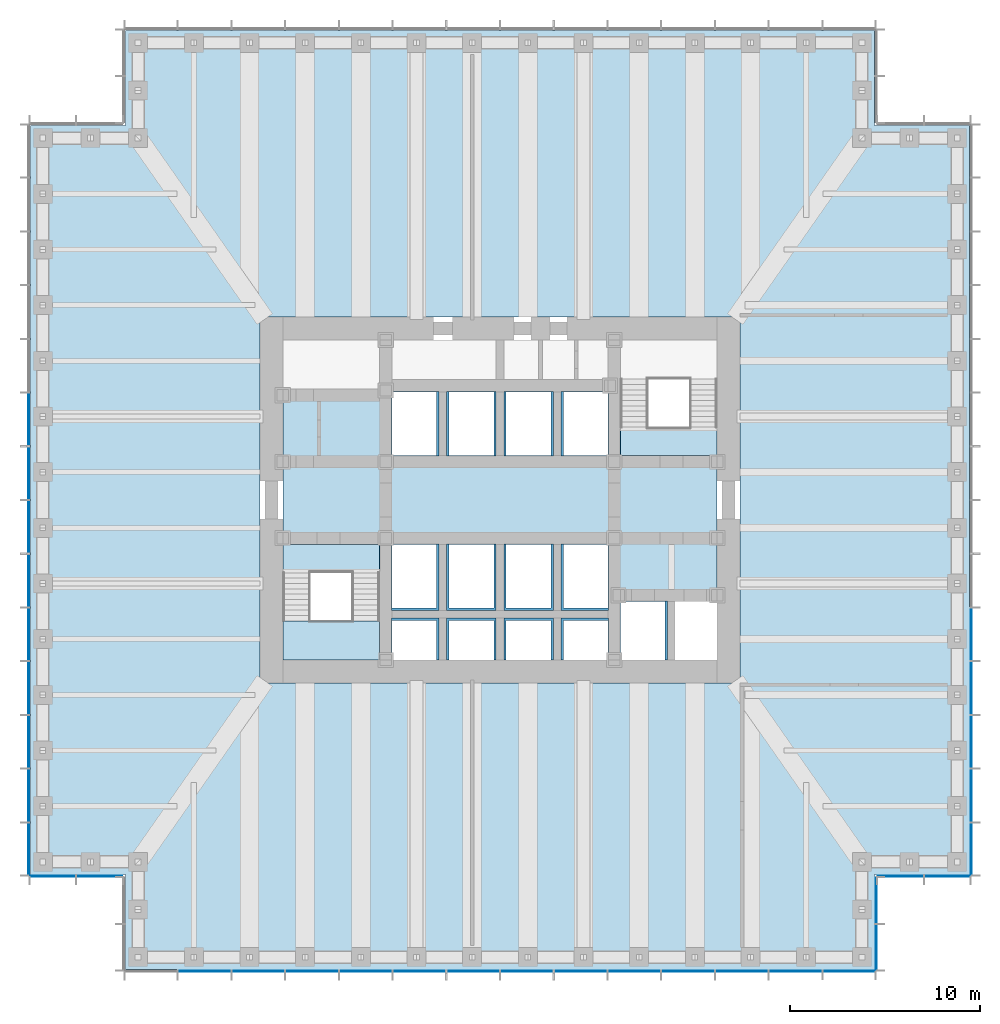
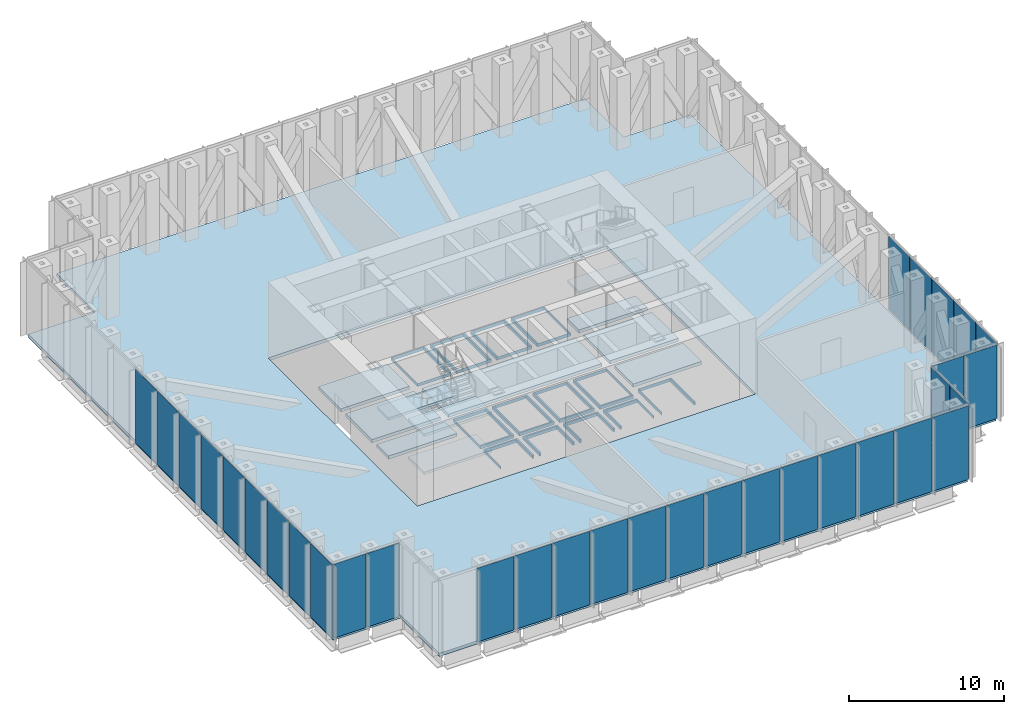
# One storey, part 7 of 15: 33 plates, 25 slabs, 8 elements without a shape of their own.
"""IFC4 building model written with IfcOpenShell, lengths in metres."""

from ifc_helpers import new_model, si_unit, direction, frame, origin, origin_2d, place, context, subcontext, project, spatial, polyline, rectangle, outline, extrude, material, layer, layer_set, type_object, element, aggregate, save


model = new_model("IFC4")

# Units and contexts
model_context = context("Model", 3, precision=1e-05, world=origin(), true_north=direction((0.0, 1.0)))
body_context = subcontext(model_context, "Body", "Model", "MODEL_VIEW")
ifc_project = project(units=[si_unit("LENGTHUNIT", "METRE"), si_unit("AREAUNIT", "SQUARE_METRE"), si_unit("VOLUMEUNIT", "CUBIC_METRE"), si_unit("PLANEANGLEUNIT", "RADIAN"), si_unit("MASSUNIT", "GRAM", prefix="KILO")], contexts=[model_context])

# Site, building, storey
site_placement = place(None, origin())
site = spatial("IfcSite", under=ifc_project, at=site_placement, CompositionType="ELEMENT")
building_placement = place(site_placement, origin())
building = spatial("IfcBuilding", under=site, at=building_placement, Name="Daluyong Arena Tower", CompositionType="ELEMENT")
storey_placement = place(building_placement, frame((0.0, 0.0, 102.10009765625)))
storey = spatial("IfcBuildingStorey", under=building, at=storey_placement, Name="L22", CompositionType="ELEMENT", Elevation=102.10009765625)

# Curtain wall, plates
ifc_material_1 = material(Name="Bronze anodised aluminium and glass", Category="aluminium")
curtain_wall_type = type_object("IfcCurtainWallType", Name="Curtain wall CW6", PredefinedType="USERDEFINED", material=ifc_material_1)
curtain_wall_1_placement = place(storey_placement, origin())
curtain_wall_1 = element("IfcCurtainWall", 1, at=curtain_wall_1_placement, inside=storey, type_object=curtain_wall_type, Name="curtain wall L22 S", ObjectType="UNITISED CURTAIN WALL", PredefinedType="USERDEFINED")
ifc_material_2 = material(Name="Bronze aluminium louvre panel", Category="aluminium")
ifc_layer_1 = layer(ifc_material_2, 0.050048828125)
ifc_layer_set_1 = layer_set([ifc_layer_1], Name="Bronze aluminium louvre panel")
plate_type = type_object("IfcPlateType", Name="CW6 panel 50", PredefinedType="CURTAIN_PANEL", material=ifc_layer_set_1)
plate_1_placement = place(storey_placement, frame((40.482177734375, 55.25, 0.0), z_axis=(0.0, 0.0, 1.0), x_axis=(1.0, 0.0, 0.0)))
plate_1 = element("IfcPlate", 2, at=plate_1_placement, type_object=plate_type, Name="curtain wall L22 S panel 2", PredefinedType="CURTAIN_PANEL", context=body_context, shape_type="SweptSolid", body=[
    extrude(rectangle(XDim=2.741455078125, YDim=0.050048828125, at=origin_2d()), origin(), (0.0, 0.0, 1.0), 5.800048828125),
])
plate_2_placement = place(storey_placement, frame((43.303466796875, 55.25, 0.0), z_axis=(0.0, 0.0, 1.0), x_axis=(1.0, 0.0, 0.0)))
plate_2 = element("IfcPlate", 3, at=plate_2_placement, type_object=plate_type, Name="curtain wall L22 S panel 3", PredefinedType="CURTAIN_PANEL", context=body_context, shape_type="SweptSolid", body=[
    extrude(rectangle(XDim=2.741455078125, YDim=0.050048828125, at=origin_2d()), origin(), (0.0, 0.0, 1.0), 5.800048828125),
])
plate_3_placement = place(storey_placement, frame((46.125, 55.25, 0.0), z_axis=(0.0, 0.0, 1.0), x_axis=(1.0, 0.0, 0.0)))
plate_3 = element("IfcPlate", 4, at=plate_3_placement, type_object=plate_type, Name="curtain wall L22 S panel 4", PredefinedType="CURTAIN_PANEL", context=body_context, shape_type="SweptSolid", body=[
    extrude(rectangle(XDim=2.741455078125, YDim=0.050048828125, at=origin_2d()), origin(), (0.0, 0.0, 1.0), 5.800048828125),
])
plate_4_placement = place(storey_placement, frame((48.946533203125, 55.25, 0.0), z_axis=(0.0, 0.0, 1.0), x_axis=(1.0, 0.0, 0.0)))
plate_4 = element("IfcPlate", 5, at=plate_4_placement, type_object=plate_type, Name="curtain wall L22 S panel 5", PredefinedType="CURTAIN_PANEL", context=body_context, shape_type="SweptSolid", body=[
    extrude(rectangle(XDim=2.741455078125, YDim=0.050048828125, at=origin_2d()), origin(), (0.0, 0.0, 1.0), 5.800048828125),
])
plate_5_placement = place(storey_placement, frame((51.767822265625, 55.25, 0.0), z_axis=(0.0, 0.0, 1.0), x_axis=(1.0, 0.0, 0.0)))
plate_5 = element("IfcPlate", 6, at=plate_5_placement, type_object=plate_type, Name="curtain wall L22 S panel 6", PredefinedType="CURTAIN_PANEL", context=body_context, shape_type="SweptSolid", body=[
    extrude(rectangle(XDim=2.741455078125, YDim=0.050048828125, at=origin_2d()), origin(), (0.0, 0.0, 1.0), 5.800048828125),
])
plate_6_placement = place(storey_placement, frame((54.58935546875, 55.25, 0.0), z_axis=(0.0, 0.0, 1.0), x_axis=(1.0, 0.0, 0.0)))
plate_6 = element("IfcPlate", 7, at=plate_6_placement, type_object=plate_type, Name="curtain wall L22 S panel 7", PredefinedType="CURTAIN_PANEL", context=body_context, shape_type="SweptSolid", body=[
    extrude(rectangle(XDim=2.741455078125, YDim=0.050048828125, at=origin_2d()), origin(), (0.0, 0.0, 1.0), 5.800048828125),
])
plate_7_placement = place(storey_placement, frame((57.41064453125, 55.25, 0.0), z_axis=(0.0, 0.0, 1.0), x_axis=(1.0, 0.0, 0.0)))
plate_7 = element("IfcPlate", 8, at=plate_7_placement, type_object=plate_type, Name="curtain wall L22 S panel 8", PredefinedType="CURTAIN_PANEL", context=body_context, shape_type="SweptSolid", body=[
    extrude(rectangle(XDim=2.741455078125, YDim=0.050048828125, at=origin_2d()), origin(), (0.0, 0.0, 1.0), 5.800048828125),
])
plate_8_placement = place(storey_placement, frame((60.232177734375, 55.25, 0.0), z_axis=(0.0, 0.0, 1.0), x_axis=(1.0, 0.0, 0.0)))
plate_8 = element("IfcPlate", 9, at=plate_8_placement, type_object=plate_type, Name="curtain wall L22 S panel 9", PredefinedType="CURTAIN_PANEL", context=body_context, shape_type="SweptSolid", body=[
    extrude(rectangle(XDim=2.741455078125, YDim=0.050048828125, at=origin_2d()), origin(), (0.0, 0.0, 1.0), 5.800048828125),
])
plate_9_placement = place(storey_placement, frame((63.053466796875, 55.25, 0.0), z_axis=(0.0, 0.0, 1.0), x_axis=(1.0, 0.0, 0.0)))
plate_9 = element("IfcPlate", 10, at=plate_9_placement, type_object=plate_type, Name="curtain wall L22 S panel 10", PredefinedType="CURTAIN_PANEL", context=body_context, shape_type="SweptSolid", body=[
    extrude(rectangle(XDim=2.741455078125, YDim=0.050048828125, at=origin_2d()), origin(), (0.0, 0.0, 1.0), 5.800048828125),
])
plate_10_placement = place(storey_placement, frame((65.875, 55.25, 0.0), z_axis=(0.0, 0.0, 1.0), x_axis=(1.0, 0.0, 0.0)))
plate_10 = element("IfcPlate", 11, at=plate_10_placement, type_object=plate_type, Name="curtain wall L22 S panel 11", PredefinedType="CURTAIN_PANEL", context=body_context, shape_type="SweptSolid", body=[
    extrude(rectangle(XDim=2.741455078125, YDim=0.050048828125, at=origin_2d()), origin(), (0.0, 0.0, 1.0), 5.800048828125),
])
plate_11_placement = place(storey_placement, frame((68.696533203125, 55.25, 0.0), z_axis=(0.0, 0.0, 1.0), x_axis=(1.0, 0.0, 0.0)))
plate_11 = element("IfcPlate", 12, at=plate_11_placement, type_object=plate_type, Name="curtain wall L22 S panel 12", PredefinedType="CURTAIN_PANEL", context=body_context, shape_type="SweptSolid", body=[
    extrude(rectangle(XDim=2.741455078125, YDim=0.050048828125, at=origin_2d()), origin(), (0.0, 0.0, 1.0), 5.800048828125),
])
plate_12_placement = place(storey_placement, frame((71.517822265625, 55.25, 0.0), z_axis=(0.0, 0.0, 1.0), x_axis=(1.0, 0.0, 0.0)))
plate_12 = element("IfcPlate", 13, at=plate_12_placement, type_object=plate_type, Name="curtain wall L22 S panel 13", PredefinedType="CURTAIN_PANEL", context=body_context, shape_type="SweptSolid", body=[
    extrude(rectangle(XDim=2.741455078125, YDim=0.050048828125, at=origin_2d()), origin(), (0.0, 0.0, 1.0), 5.800048828125),
])
plate_13_placement = place(storey_placement, frame((74.3193359375, 55.25, 0.0), z_axis=(0.0, 0.0, 1.0), x_axis=(1.0, 0.0, 0.0)))
plate_13 = element("IfcPlate", 14, at=plate_13_placement, type_object=plate_type, Name="curtain wall L22 S panel 14", PredefinedType="CURTAIN_PANEL", context=body_context, shape_type="SweptSolid", body=[
    extrude(rectangle(XDim=2.701416015625, YDim=0.050048828125, at=origin_2d()), origin(), (0.0, 0.0, 1.0), 5.800048828125),
])
aggregate(curtain_wall_1, [plate_1, plate_2, plate_3, plate_4, plate_5, plate_6, plate_7, plate_8, plate_9, plate_10, plate_11, plate_12, plate_13])

curtain_wall_2_placement = place(storey_placement, origin())
curtain_wall_2 = element("IfcCurtainWall", 15, at=curtain_wall_2_placement, inside=storey, type_object=curtain_wall_type, Name="curtain wall L22 SE-E", ObjectType="UNITISED CURTAIN WALL", PredefinedType="USERDEFINED")
plate_14_placement = place(storey_placement, frame((75.75, 56.52001953125, 0.0), z_axis=(0.0, 0.0, 1.0), x_axis=(0.0, 1.0, 0.0)))
plate_14 = element("IfcPlate", 16, at=plate_14_placement, type_object=plate_type, Name="curtain wall L22 SE-E panel 1", PredefinedType="CURTAIN_PANEL", context=body_context, shape_type="SweptSolid", body=[
    extrude(rectangle(XDim=2.3798828125, YDim=0.050048828125, at=origin_2d()), origin(), (0.0, 0.0, 1.0), 5.800048828125),
])
plate_15_placement = place(storey_placement, frame((75.75, 58.97998046875, 0.0), z_axis=(0.0, 0.0, 1.0), x_axis=(0.0, 1.0, 0.0)))
plate_15 = element("IfcPlate", 17, at=plate_15_placement, type_object=plate_type, Name="curtain wall L22 SE-E panel 2", PredefinedType="CURTAIN_PANEL", context=body_context, shape_type="SweptSolid", body=[
    extrude(rectangle(XDim=2.3798828125, YDim=0.050048828125, at=origin_2d()), origin(), (0.0, 0.0, 1.0), 5.800048828125),
])
aggregate(curtain_wall_2, [plate_14, plate_15])

curtain_wall_3_placement = place(storey_placement, origin())
curtain_wall_3 = element("IfcCurtainWall", 18, at=curtain_wall_3_placement, inside=storey, type_object=curtain_wall_type, Name="curtain wall L22 SE-S", ObjectType="UNITISED CURTAIN WALL", PredefinedType="USERDEFINED")
plate_16_placement = place(storey_placement, frame((77.02001953125, 60.25, 0.0), z_axis=(0.0, 0.0, 1.0), x_axis=(1.0, 0.0, 0.0)))
plate_16 = element("IfcPlate", 19, at=plate_16_placement, type_object=plate_type, Name="curtain wall L22 SE-S panel 1", PredefinedType="CURTAIN_PANEL", context=body_context, shape_type="SweptSolid", body=[
    extrude(rectangle(XDim=2.3798828125, YDim=0.050048828125, at=origin_2d()), origin(), (0.0, 0.0, 1.0), 5.800048828125),
])
plate_17_placement = place(storey_placement, frame((79.47998046875, 60.25, 0.0), z_axis=(0.0, 0.0, 1.0), x_axis=(1.0, 0.0, 0.0)))
plate_17 = element("IfcPlate", 20, at=plate_17_placement, type_object=plate_type, Name="curtain wall L22 SE-S panel 2", PredefinedType="CURTAIN_PANEL", context=body_context, shape_type="SweptSolid", body=[
    extrude(rectangle(XDim=2.3798828125, YDim=0.050048828125, at=origin_2d()), origin(), (0.0, 0.0, 1.0), 5.800048828125),
])
aggregate(curtain_wall_3, [plate_16, plate_17])

curtain_wall_4_placement = place(storey_placement, origin())
curtain_wall_4 = element("IfcCurtainWall", 21, at=curtain_wall_4_placement, inside=storey, type_object=curtain_wall_type, Name="curtain wall L22 E", ObjectType="UNITISED CURTAIN WALL", PredefinedType="USERDEFINED")
plate_18_placement = place(storey_placement, frame((80.75, 61.6806640625, 0.0), z_axis=(0.0, 0.0, 1.0), x_axis=(0.0, 1.0, 0.0)))
plate_18 = element("IfcPlate", 22, at=plate_18_placement, type_object=plate_type, Name="curtain wall L22 E panel 1", PredefinedType="CURTAIN_PANEL", context=body_context, shape_type="SweptSolid", body=[
    extrude(rectangle(XDim=2.701416015625, YDim=0.050048828125, at=origin_2d()), origin(), (0.0, 0.0, 1.0), 5.800048828125),
])
plate_19_placement = place(storey_placement, frame((80.75, 64.482177734375, 0.0), z_axis=(0.0, 0.0, 1.0), x_axis=(0.0, 1.0, 0.0)))
plate_19 = element("IfcPlate", 23, at=plate_19_placement, type_object=plate_type, Name="curtain wall L22 E panel 2", PredefinedType="CURTAIN_PANEL", context=body_context, shape_type="SweptSolid", body=[
    extrude(rectangle(XDim=2.741455078125, YDim=0.050048828125, at=origin_2d()), origin(), (0.0, 0.0, 1.0), 5.800048828125),
])
plate_20_placement = place(storey_placement, frame((80.75, 67.303466796875, 0.0), z_axis=(0.0, 0.0, 1.0), x_axis=(0.0, 1.0, 0.0)))
plate_20 = element("IfcPlate", 24, at=plate_20_placement, type_object=plate_type, Name="curtain wall L22 E panel 3", PredefinedType="CURTAIN_PANEL", context=body_context, shape_type="SweptSolid", body=[
    extrude(rectangle(XDim=2.741455078125, YDim=0.050048828125, at=origin_2d()), origin(), (0.0, 0.0, 1.0), 5.800048828125),
])
plate_21_placement = place(storey_placement, frame((80.75, 70.125, 0.0), z_axis=(0.0, 0.0, 1.0), x_axis=(0.0, 1.0, 0.0)))
plate_21 = element("IfcPlate", 25, at=plate_21_placement, type_object=plate_type, Name="curtain wall L22 E panel 4", PredefinedType="CURTAIN_PANEL", context=body_context, shape_type="SweptSolid", body=[
    extrude(rectangle(XDim=2.741455078125, YDim=0.050048828125, at=origin_2d()), origin(), (0.0, 0.0, 1.0), 5.800048828125),
])
plate_22_placement = place(storey_placement, frame((80.75, 72.946533203125, 0.0), z_axis=(0.0, 0.0, 1.0), x_axis=(0.0, 1.0, 0.0)))
plate_22 = element("IfcPlate", 26, at=plate_22_placement, type_object=plate_type, Name="curtain wall L22 E panel 5", PredefinedType="CURTAIN_PANEL", context=body_context, shape_type="SweptSolid", body=[
    extrude(rectangle(XDim=2.741455078125, YDim=0.050048828125, at=origin_2d()), origin(), (0.0, 0.0, 1.0), 5.800048828125),
])
aggregate(curtain_wall_4, [plate_18, plate_19, plate_20, plate_21, plate_22])

curtain_wall_5_placement = place(storey_placement, origin())
curtain_wall_5 = element("IfcCurtainWall", 27, at=curtain_wall_5_placement, inside=storey, type_object=curtain_wall_type, Name="curtain wall L22 W", ObjectType="UNITISED CURTAIN WALL", PredefinedType="USERDEFINED")
plate_23_placement = place(storey_placement, frame((31.25, 84.232177734375, 0.0), z_axis=(0.0, 0.0, 1.0), x_axis=(0.0, -1.0, 0.0)))
plate_23 = element("IfcPlate", 28, at=plate_23_placement, type_object=plate_type, Name="curtain wall L22 W panel 6", PredefinedType="CURTAIN_PANEL", context=body_context, shape_type="SweptSolid", body=[
    extrude(rectangle(XDim=2.741455078125, YDim=0.050048828125, at=origin_2d()), origin(), (0.0, 0.0, 1.0), 5.800048828125),
])
plate_24_placement = place(storey_placement, frame((31.25, 81.41064453125, 0.0), z_axis=(0.0, 0.0, 1.0), x_axis=(0.0, -1.0, 0.0)))
plate_24 = element("IfcPlate", 29, at=plate_24_placement, type_object=plate_type, Name="curtain wall L22 W panel 7", PredefinedType="CURTAIN_PANEL", context=body_context, shape_type="SweptSolid", body=[
    extrude(rectangle(XDim=2.741455078125, YDim=0.050048828125, at=origin_2d()), origin(), (0.0, 0.0, 1.0), 5.800048828125),
])
plate_25_placement = place(storey_placement, frame((31.25, 78.58935546875, 0.0), z_axis=(0.0, 0.0, 1.0), x_axis=(0.0, -1.0, 0.0)))
plate_25 = element("IfcPlate", 30, at=plate_25_placement, type_object=plate_type, Name="curtain wall L22 W panel 8", PredefinedType="CURTAIN_PANEL", context=body_context, shape_type="SweptSolid", body=[
    extrude(rectangle(XDim=2.741455078125, YDim=0.050048828125, at=origin_2d()), origin(), (0.0, 0.0, 1.0), 5.800048828125),
])
plate_26_placement = place(storey_placement, frame((31.25, 75.767822265625, 0.0), z_axis=(0.0, 0.0, 1.0), x_axis=(0.0, -1.0, 0.0)))
plate_26 = element("IfcPlate", 31, at=plate_26_placement, type_object=plate_type, Name="curtain wall L22 W panel 9", PredefinedType="CURTAIN_PANEL", context=body_context, shape_type="SweptSolid", body=[
    extrude(rectangle(XDim=2.741455078125, YDim=0.050048828125, at=origin_2d()), origin(), (0.0, 0.0, 1.0), 5.800048828125),
])
plate_27_placement = place(storey_placement, frame((31.25, 72.946533203125, 0.0), z_axis=(0.0, 0.0, 1.0), x_axis=(0.0, -1.0, 0.0)))
plate_27 = element("IfcPlate", 32, at=plate_27_placement, type_object=plate_type, Name="curtain wall L22 W panel 10", PredefinedType="CURTAIN_PANEL", context=body_context, shape_type="SweptSolid", body=[
    extrude(rectangle(XDim=2.741455078125, YDim=0.050048828125, at=origin_2d()), origin(), (0.0, 0.0, 1.0), 5.800048828125),
])
plate_28_placement = place(storey_placement, frame((31.25, 70.125, 0.0), z_axis=(0.0, 0.0, 1.0), x_axis=(0.0, -1.0, 0.0)))
plate_28 = element("IfcPlate", 33, at=plate_28_placement, type_object=plate_type, Name="curtain wall L22 W panel 11", PredefinedType="CURTAIN_PANEL", context=body_context, shape_type="SweptSolid", body=[
    extrude(rectangle(XDim=2.741455078125, YDim=0.050048828125, at=origin_2d()), origin(), (0.0, 0.0, 1.0), 5.800048828125),
])
plate_29_placement = place(storey_placement, frame((31.25, 67.303466796875, 0.0), z_axis=(0.0, 0.0, 1.0), x_axis=(0.0, -1.0, 0.0)))
plate_29 = element("IfcPlate", 34, at=plate_29_placement, type_object=plate_type, Name="curtain wall L22 W panel 12", PredefinedType="CURTAIN_PANEL", context=body_context, shape_type="SweptSolid", body=[
    extrude(rectangle(XDim=2.741455078125, YDim=0.050048828125, at=origin_2d()), origin(), (0.0, 0.0, 1.0), 5.800048828125),
])
plate_30_placement = place(storey_placement, frame((31.25, 64.482177734375, 0.0), z_axis=(0.0, 0.0, 1.0), x_axis=(0.0, -1.0, 0.0)))
plate_30 = element("IfcPlate", 35, at=plate_30_placement, type_object=plate_type, Name="curtain wall L22 W panel 13", PredefinedType="CURTAIN_PANEL", context=body_context, shape_type="SweptSolid", body=[
    extrude(rectangle(XDim=2.741455078125, YDim=0.050048828125, at=origin_2d()), origin(), (0.0, 0.0, 1.0), 5.800048828125),
])
plate_31_placement = place(storey_placement, frame((31.25, 61.6806640625, 0.0), z_axis=(0.0, 0.0, 1.0), x_axis=(0.0, -1.0, 0.0)))
plate_31 = element("IfcPlate", 36, at=plate_31_placement, type_object=plate_type, Name="curtain wall L22 W panel 14", PredefinedType="CURTAIN_PANEL", context=body_context, shape_type="SweptSolid", body=[
    extrude(rectangle(XDim=2.701416015625, YDim=0.050048828125, at=origin_2d()), origin(), (0.0, 0.0, 1.0), 5.800048828125),
])
aggregate(curtain_wall_5, [plate_23, plate_24, plate_25, plate_26, plate_27, plate_28, plate_29, plate_30, plate_31])

curtain_wall_6_placement = place(storey_placement, origin())
curtain_wall_6 = element("IfcCurtainWall", 37, at=curtain_wall_6_placement, inside=storey, type_object=curtain_wall_type, Name="curtain wall L22 SW-S", ObjectType="UNITISED CURTAIN WALL", PredefinedType="USERDEFINED")
plate_32_placement = place(storey_placement, frame((32.52001953125, 60.25, 0.0), z_axis=(0.0, 0.0, 1.0), x_axis=(1.0, 0.0, 0.0)))
plate_32 = element("IfcPlate", 38, at=plate_32_placement, type_object=plate_type, Name="curtain wall L22 SW-S panel 1", PredefinedType="CURTAIN_PANEL", context=body_context, shape_type="SweptSolid", body=[
    extrude(rectangle(XDim=2.3798828125, YDim=0.050048828125, at=origin_2d()), origin(), (0.0, 0.0, 1.0), 5.800048828125),
])
plate_33_placement = place(storey_placement, frame((34.97998046875, 60.25, 0.0), z_axis=(0.0, 0.0, 1.0), x_axis=(1.0, 0.0, 0.0)))
plate_33 = element("IfcPlate", 39, at=plate_33_placement, type_object=plate_type, Name="curtain wall L22 SW-S panel 2", PredefinedType="CURTAIN_PANEL", context=body_context, shape_type="SweptSolid", body=[
    extrude(rectangle(XDim=2.3798828125, YDim=0.050048828125, at=origin_2d()), origin(), (0.0, 0.0, 1.0), 5.800048828125),
])
aggregate(curtain_wall_6, [plate_32, plate_33])

# Slabs
ifc_material_3 = material(Name="Concrete fc' 35 MPa", Category="concrete")
ifc_layer_2 = layer(ifc_material_3, 0.25)
ifc_layer_set_2 = layer_set([ifc_layer_2], Name="Concrete fc' 35 MPa")
slab_type_1 = type_object("IfcSlabType", Name="Plant floor slab 250", PredefinedType="FLOOR", material=ifc_layer_set_2)
slab_1_placement = place(storey_placement, frame((0.0, 0.0, -0.25)))
element("IfcSlab", 40, at=slab_1_placement, inside=storey, type_object=slab_type_1, Name="floor L22 part 1", PredefinedType="FLOOR", context=body_context, shape_type="SweptSolid", body=[
    extrude(outline(polyline([(49.699951171875, 76.175048828125), (49.699951171875, 77.699951171875), (44.60009765625, 77.699951171875), (44.60009765625, 76.175048828125), (49.699951171875, 76.175048828125)])), origin(), (0.0, 0.0, 1.0), 0.25),
])
slab_2_placement = place(storey_placement, frame((0.0, 0.0, -0.25)))
element("IfcSlab", 41, at=slab_2_placement, inside=storey, type_object=slab_type_1, Name="floor L22 part 2", PredefinedType="FLOOR", context=body_context, shape_type="SweptSolid", body=[
    extrude(outline(polyline([(49.699951171875, 78.300048828125), (49.699951171875, 81.699951171875), (44.60009765625, 81.699951171875), (44.60009765625, 78.300048828125), (49.699951171875, 78.300048828125)])), origin(), (0.0, 0.0, 1.0), 0.25),
])
slab_3_placement = place(storey_placement, frame((0.0, 0.0, -0.25)))
element("IfcSlab", 42, at=slab_3_placement, inside=storey, type_object=slab_type_1, Name="floor L22 part 3", PredefinedType="FLOOR", context=body_context, shape_type="SweptSolid", body=[
    extrude(outline(polyline([(49.699951171875, 82.300048828125), (49.699951171875, 85.199951171875), (44.60009765625, 85.199951171875), (44.60009765625, 82.300048828125), (49.699951171875, 82.300048828125)])), origin(), (0.0, 0.0, 1.0), 0.25),
])
slab_4_placement = place(storey_placement, frame((0.0, 0.0, -0.25)))
element("IfcSlab", 43, at=slab_4_placement, inside=storey, type_object=slab_type_1, Name="floor L22 part 5", PredefinedType="FLOOR", context=body_context, shape_type="SweptSolid", body=[
    extrude(outline(polyline([(52.675048828125, 73.675048828125), (52.675048828125, 71.60009765625), (52.800048828125, 71.60009765625), (52.800048828125, 73.800048828125), (50.300048828125, 73.800048828125), (50.300048828125, 71.60009765625), (50.324951171875, 71.60009765625), (50.324951171875, 73.675048828125), (52.675048828125, 73.675048828125)])), origin(), (0.0, 0.0, 1.0), 0.25),
])
slab_5_placement = place(storey_placement, frame((0.0, 0.0, -0.25)))
element("IfcSlab", 44, at=slab_5_placement, inside=storey, type_object=slab_type_1, Name="floor L22 part 6", PredefinedType="FLOOR", context=body_context, shape_type="SweptSolid", body=[
    extrude(outline(polyline([(50.300048828125, 77.699951171875), (50.300048828125, 74.199951171875), (52.800048828125, 74.199951171875), (52.800048828125, 77.699951171875), (50.300048828125, 77.699951171875)]), holes=[polyline([(52.675048828125, 77.675048828125), (52.675048828125, 74.324951171875), (50.324951171875, 74.324951171875), (50.324951171875, 77.675048828125), (52.675048828125, 77.675048828125)])]), origin(), (0.0, 0.0, 1.0), 0.25),
])
slab_6_placement = place(storey_placement, frame((0.0, 0.0, -0.25)))
element("IfcSlab", 45, at=slab_6_placement, inside=storey, type_object=slab_type_1, Name="floor L22 part 7", PredefinedType="FLOOR", context=body_context, shape_type="SweptSolid", body=[
    extrude(outline(polyline([(50.300048828125, 85.699951171875), (50.300048828125, 82.300048828125), (52.800048828125, 82.300048828125), (52.800048828125, 85.699951171875), (50.300048828125, 85.699951171875)]), holes=[polyline([(52.675048828125, 85.675048828125), (52.675048828125, 82.324951171875), (50.324951171875, 82.324951171875), (50.324951171875, 85.675048828125), (52.675048828125, 85.675048828125)])]), origin(), (0.0, 0.0, 1.0), 0.25),
])
slab_7_placement = place(storey_placement, frame((0.0, 0.0, -0.25)))
element("IfcSlab", 46, at=slab_7_placement, inside=storey, type_object=slab_type_1, Name="floor L22 part 9", PredefinedType="FLOOR", context=body_context, shape_type="SweptSolid", body=[
    extrude(outline(polyline([(55.675048828125, 73.675048828125), (55.675048828125, 71.60009765625), (55.800048828125, 71.60009765625), (55.800048828125, 73.800048828125), (53.199951171875, 73.800048828125), (53.199951171875, 71.60009765625), (53.324951171875, 71.60009765625), (53.324951171875, 73.675048828125), (55.675048828125, 73.675048828125)])), origin(), (0.0, 0.0, 1.0), 0.25),
])
slab_8_placement = place(storey_placement, frame((0.0, 0.0, -0.25)))
element("IfcSlab", 47, at=slab_8_placement, inside=storey, type_object=slab_type_1, Name="floor L22 part 10", PredefinedType="FLOOR", context=body_context, shape_type="SweptSolid", body=[
    extrude(outline(polyline([(53.199951171875, 77.699951171875), (53.199951171875, 74.199951171875), (55.800048828125, 74.199951171875), (55.800048828125, 77.699951171875), (53.199951171875, 77.699951171875)]), holes=[polyline([(55.675048828125, 77.675048828125), (55.675048828125, 74.324951171875), (53.324951171875, 74.324951171875), (53.324951171875, 77.675048828125), (55.675048828125, 77.675048828125)])]), origin(), (0.0, 0.0, 1.0), 0.25),
])
slab_9_placement = place(storey_placement, frame((0.0, 0.0, -0.25)))
element("IfcSlab", 48, at=slab_9_placement, inside=storey, type_object=slab_type_1, Name="floor L22 part 11", PredefinedType="FLOOR", context=body_context, shape_type="SweptSolid", body=[
    extrude(outline(polyline([(53.199951171875, 85.699951171875), (53.199951171875, 82.300048828125), (55.800048828125, 82.300048828125), (55.800048828125, 85.699951171875), (53.199951171875, 85.699951171875)]), holes=[polyline([(55.675048828125, 85.675048828125), (55.675048828125, 82.324951171875), (53.324951171875, 82.324951171875), (53.324951171875, 85.675048828125), (55.675048828125, 85.675048828125)])]), origin(), (0.0, 0.0, 1.0), 0.25),
])
slab_10_placement = place(storey_placement, frame((0.0, 0.0, -0.25)))
element("IfcSlab", 49, at=slab_10_placement, inside=storey, type_object=slab_type_1, Name="floor L22 part 12", PredefinedType="FLOOR", context=body_context, shape_type="SweptSolid", body=[
    extrude(outline(polyline([(36.35009765625, 60.35009765625), (36.35009765625, 55.35009765625), (75.64990234375, 55.35009765625), (75.64990234375, 60.35009765625), (80.64990234375, 60.35009765625), (80.64990234375, 99.64990234375), (75.64990234375, 99.64990234375), (75.64990234375, 104.64990234375), (36.35009765625, 104.64990234375), (36.35009765625, 99.64990234375), (31.35009765625, 99.64990234375), (31.35009765625, 60.35009765625), (36.35009765625, 60.35009765625)]), holes=[polyline([(68.60009765625, 89.60009765625), (68.60009765625, 70.39990234375), (43.39990234375, 70.39990234375), (43.39990234375, 89.60009765625), (68.60009765625, 89.60009765625)])]), origin(), (0.0, 0.0, 1.0), 0.25),
])
slab_11_placement = place(storey_placement, frame((0.0, 0.0, -0.25)))
element("IfcSlab", 50, at=slab_11_placement, inside=storey, type_object=slab_type_1, Name="floor L22 part 13", PredefinedType="FLOOR", context=body_context, shape_type="SweptSolid", body=[
    extrude(outline(polyline([(61.699951171875, 81.699951171875), (50.300048828125, 81.699951171875), (50.300048828125, 78.300048828125), (61.699951171875, 78.300048828125), (61.699951171875, 81.699951171875)])), origin(), (0.0, 0.0, 1.0), 0.25),
])
slab_12_placement = place(storey_placement, frame((0.0, 0.0, -0.25)))
element("IfcSlab", 51, at=slab_12_placement, inside=storey, type_object=slab_type_1, Name="floor L22 part 14", PredefinedType="FLOOR", context=body_context, shape_type="SweptSolid", body=[
    extrude(outline(polyline([(58.675048828125, 73.675048828125), (58.675048828125, 71.60009765625), (58.800048828125, 71.60009765625), (58.800048828125, 73.800048828125), (56.199951171875, 73.800048828125), (56.199951171875, 71.60009765625), (56.324951171875, 71.60009765625), (56.324951171875, 73.675048828125), (58.675048828125, 73.675048828125)])), origin(), (0.0, 0.0, 1.0), 0.25),
])
slab_13_placement = place(storey_placement, frame((0.0, 0.0, -0.25)))
element("IfcSlab", 52, at=slab_13_placement, inside=storey, type_object=slab_type_1, Name="floor L22 part 15", PredefinedType="FLOOR", context=body_context, shape_type="SweptSolid", body=[
    extrude(outline(polyline([(56.199951171875, 77.699951171875), (56.199951171875, 74.199951171875), (58.800048828125, 74.199951171875), (58.800048828125, 77.699951171875), (56.199951171875, 77.699951171875)]), holes=[polyline([(58.675048828125, 77.675048828125), (58.675048828125, 74.324951171875), (56.324951171875, 74.324951171875), (56.324951171875, 77.675048828125), (58.675048828125, 77.675048828125)])]), origin(), (0.0, 0.0, 1.0), 0.25),
])
slab_14_placement = place(storey_placement, frame((0.0, 0.0, -0.25)))
element("IfcSlab", 53, at=slab_14_placement, inside=storey, type_object=slab_type_1, Name="floor L22 part 16", PredefinedType="FLOOR", context=body_context, shape_type="SweptSolid", body=[
    extrude(outline(polyline([(56.199951171875, 85.699951171875), (56.199951171875, 82.300048828125), (58.800048828125, 82.300048828125), (58.800048828125, 85.699951171875), (56.199951171875, 85.699951171875)]), holes=[polyline([(58.675048828125, 85.675048828125), (58.675048828125, 82.324951171875), (56.324951171875, 82.324951171875), (56.324951171875, 85.675048828125), (58.675048828125, 85.675048828125)])]), origin(), (0.0, 0.0, 1.0), 0.25),
])
slab_15_placement = place(storey_placement, frame((0.0, 0.0, -0.25)))
element("IfcSlab", 54, at=slab_15_placement, inside=storey, type_object=slab_type_1, Name="floor L22 part 18", PredefinedType="FLOOR", context=body_context, shape_type="SweptSolid", body=[
    extrude(outline(polyline([(59.199951171875, 82.300048828125), (61.699951171875, 82.300048828125), (61.699951171875, 85.699951171875), (59.199951171875, 85.699951171875), (59.199951171875, 82.300048828125)]), holes=[polyline([(61.675048828125, 82.324951171875), (59.324951171875, 82.324951171875), (59.324951171875, 85.675048828125), (61.675048828125, 85.675048828125), (61.675048828125, 82.324951171875)])]), origin(), (0.0, 0.0, 1.0), 0.25),
])
slab_16_placement = place(storey_placement, frame((0.0, 0.0, -0.25)))
element("IfcSlab", 55, at=slab_16_placement, inside=storey, type_object=slab_type_1, Name="floor L22 part 19", PredefinedType="FLOOR", context=body_context, shape_type="SweptSolid", body=[
    extrude(outline(polyline([(59.199951171875, 74.199951171875), (61.699951171875, 74.199951171875), (61.699951171875, 77.699951171875), (59.199951171875, 77.699951171875), (59.199951171875, 74.199951171875)]), holes=[polyline([(61.675048828125, 77.675048828125), (61.675048828125, 74.324951171875), (59.324951171875, 74.324951171875), (59.324951171875, 77.675048828125), (61.675048828125, 77.675048828125)])]), origin(), (0.0, 0.0, 1.0), 0.25),
])
slab_17_placement = place(storey_placement, frame((0.0, 0.0, -0.25)))
element("IfcSlab", 56, at=slab_17_placement, inside=storey, type_object=slab_type_1, Name="floor L22 part 20", PredefinedType="FLOOR", context=body_context, shape_type="SweptSolid", body=[
    extrude(outline(polyline([(61.699951171875, 73.800048828125), (59.199951171875, 73.800048828125), (59.199951171875, 71.60009765625), (59.324951171875, 71.60009765625), (59.324951171875, 73.675048828125), (61.675048828125, 73.675048828125), (61.675048828125, 71.60009765625), (61.699951171875, 71.60009765625), (61.699951171875, 73.800048828125)])), origin(), (0.0, 0.0, 1.0), 0.25),
])
slab_18_placement = place(storey_placement, frame((0.0, 0.0, -0.25)))
element("IfcSlab", 57, at=slab_18_placement, inside=storey, type_object=slab_type_1, Name="floor L22 part 21", PredefinedType="FLOOR", context=body_context, shape_type="SweptSolid", body=[
    extrude(outline(polyline([(64.800048828125, 71.60009765625), (64.800048828125, 74.699951171875), (62.300048828125, 74.699951171875), (62.300048828125, 71.60009765625), (62.324951171875, 71.60009765625), (62.324951171875, 74.675048828125), (64.675048828125, 74.675048828125), (64.675048828125, 71.60009765625), (64.800048828125, 71.60009765625)])), origin(), (0.0, 0.0, 1.0), 0.25),
])
slab_19_placement = place(storey_placement, frame((0.0, 0.0, -0.25)))
element("IfcSlab", 58, at=slab_19_placement, inside=storey, type_object=slab_type_1, Name="floor L22 part 22", PredefinedType="FLOOR", context=body_context, shape_type="SweptSolid", body=[
    extrude(outline(polyline([(67.39990234375, 75.300048828125), (67.39990234375, 77.699951171875), (62.300048828125, 77.699951171875), (62.300048828125, 75.300048828125), (67.39990234375, 75.300048828125)])), origin(), (0.0, 0.0, 1.0), 0.25),
])
slab_20_placement = place(storey_placement, frame((0.0, 0.0, -0.25)))
element("IfcSlab", 59, at=slab_20_placement, inside=storey, type_object=slab_type_1, Name="floor L22 part 23", PredefinedType="FLOOR", context=body_context, shape_type="SweptSolid", body=[
    extrude(outline(polyline([(67.39990234375, 78.300048828125), (67.39990234375, 81.699951171875), (62.300048828125, 81.699951171875), (62.300048828125, 78.300048828125), (67.39990234375, 78.300048828125)])), origin(), (0.0, 0.0, 1.0), 0.25),
])
slab_21_placement = place(storey_placement, frame((0.0, 0.0, -0.25)))
element("IfcSlab", 60, at=slab_21_placement, inside=storey, type_object=slab_type_1, Name="floor L22 part 24", PredefinedType="FLOOR", context=body_context, shape_type="SweptSolid", body=[
    extrude(outline(polyline([(67.39990234375, 82.300048828125), (67.39990234375, 83.824951171875), (62.300048828125, 83.824951171875), (62.300048828125, 82.300048828125), (67.39990234375, 82.300048828125)])), origin(), (0.0, 0.0, 1.0), 0.25),
])

# Stair, slabs
ifc_material_4 = material(Name="Concrete fc' 35 MPa", Category="concrete")
stair_type = type_object("IfcStairType", Name="Core exit stair", PredefinedType="HALF_TURN_STAIR", material=ifc_material_4)
stair_1_placement = place(storey_placement, origin())
stair_1 = element("IfcStair", 61, at=stair_1_placement, inside=storey, type_object=stair_type, Name="exit stair A L22", PredefinedType="HALF_TURN_STAIR")
ifc_material_5 = material(Name="Concrete fc' 35 MPa", Category="concrete")
ifc_layer_3 = layer(ifc_material_5, 0.199951171875)
ifc_layer_set_3 = layer_set([ifc_layer_3], Name="Concrete fc' 35 MPa")
slab_type_2 = type_object("IfcSlabType", Name="Stair landing 200", PredefinedType="LANDING", material=ifc_layer_set_3)
slab_22_placement = place(storey_placement, frame((0.0, 0.0, 1.2998046875)))
slab_22 = element("IfcSlab", 62, at=slab_22_placement, type_object=slab_type_2, Name="STA landing 1", PredefinedType="LANDING", context=body_context, shape_type="SweptSolid", body=[
    extrude(outline(polyline([(44.60009765625, 71.60009765625), (49.675048828125, 71.60009765625), (49.675048828125, 73.655029296875), (44.60009765625, 73.655029296875), (44.60009765625, 71.60009765625)])), origin(), (0.0, 0.0, 1.0), 0.2001953125),
])
slab_23_placement = place(storey_placement, frame((0.0, 0.0, 2.7998046875)))
slab_23 = element("IfcSlab", 63, at=slab_23_placement, type_object=slab_type_2, Name="STA landing 2", PredefinedType="LANDING", context=body_context, shape_type="SweptSolid", body=[
    extrude(outline(polyline([(44.60009765625, 76.175048828125), (49.675048828125, 76.175048828125), (49.675048828125, 77.675048828125), (44.60009765625, 77.675048828125), (44.60009765625, 76.175048828125)])), origin(), (0.0, 0.0, 1.0), 0.2001953125),
])
slab_24_placement = place(storey_placement, frame((0.0, 0.0, 4.2998046875)))
slab_24 = element("IfcSlab", 64, at=slab_24_placement, type_object=slab_type_2, Name="STA landing 3", PredefinedType="LANDING", context=body_context, shape_type="SweptSolid", body=[
    extrude(outline(polyline([(44.60009765625, 71.60009765625), (49.675048828125, 71.60009765625), (49.675048828125, 73.655029296875), (44.60009765625, 73.655029296875), (44.60009765625, 71.60009765625)])), origin(), (0.0, 0.0, 1.0), 0.2001953125),
])
aggregate(stair_1, [slab_22, slab_23, slab_24])

# Stair, slab
stair_2_placement = place(storey_placement, origin())
stair_2 = element("IfcStair", 65, at=stair_2_placement, inside=storey, type_object=stair_type, Name="exit stair B L22", PredefinedType="HALF_TURN_STAIR")
slab_25_placement = place(storey_placement, frame((0.0, 0.0, 2.7998046875)))
slab_25 = element("IfcSlab", 66, at=slab_25_placement, type_object=slab_type_2, Name="STB landing 2", PredefinedType="LANDING", context=body_context, shape_type="SweptSolid", body=[
    extrude(outline(polyline([(62.324951171875, 82.324951171875), (67.39990234375, 82.324951171875), (67.39990234375, 83.824951171875), (62.324951171875, 83.824951171875), (62.324951171875, 82.324951171875)])), origin(), (0.0, 0.0, 1.0), 0.2001953125),
])
aggregate(stair_2, [slab_25])

save(model, "model.ifc")
